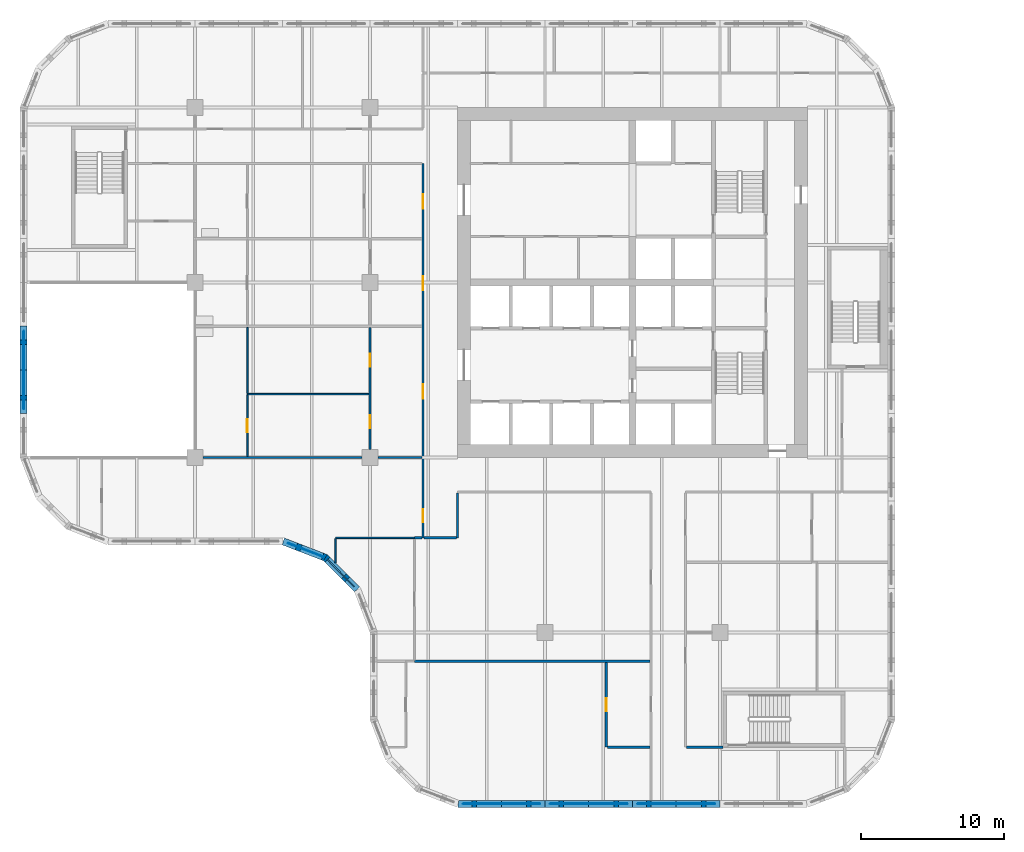
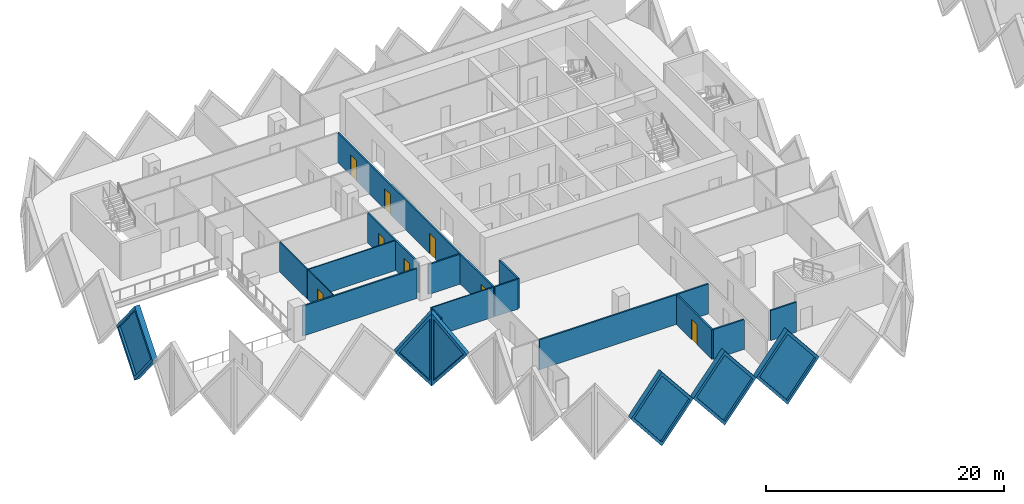
# One storey, part 5 of 20: 22 walls, 8 doors, 6 plates, 14 openings.
"""IFC4 building model written with IfcOpenShell, lengths in metres."""

from ifc_helpers import new_model, si_unit, direction, frame, frame_2d, origin, place, context, subcontext, project, spatial, polyline, rectangle, outline, extrude, faceted_brep, source, transform, mapped, material, layer, layer_set, type_object, element, fill, save


model = new_model("IFC4")

# Units and contexts
model_context = context("Model", 3, precision=1e-05, world=origin(), true_north=direction((0.0, 1.0)))
body_context = subcontext(model_context, "Body", "Model", "MODEL_VIEW")
ifc_project = project(units=[si_unit("LENGTHUNIT", "METRE"), si_unit("AREAUNIT", "SQUARE_METRE"), si_unit("VOLUMEUNIT", "CUBIC_METRE"), si_unit("PLANEANGLEUNIT", "RADIAN"), si_unit("MASSUNIT", "GRAM", prefix="KILO")], contexts=[model_context])

# Site, building, storey
site_placement = place(None, origin())
site = spatial("IfcSite", under=ifc_project, at=site_placement, CompositionType="ELEMENT")
building_placement = place(site_placement, origin())
building = spatial("IfcBuilding", under=site, at=building_placement, Name="Tessera Gate Towers", CompositionType="ELEMENT")
storey_placement = place(building_placement, frame((0.0, 0.0, 52.39990234375)))
storey = spatial("IfcBuildingStorey", under=building, at=storey_placement, Name="L12", CompositionType="ELEMENT", Elevation=52.39990234375)

# Wall
ifc_material_1 = material(Name="Gypsum board on steel studs, mineral wool", Category="steel")
ifc_layer_1 = layer(ifc_material_1, 0.14990234375)
ifc_layer_set_1 = layer_set([ifc_layer_1], Name="CORRIDOR WALL 150")
wall_type_1 = type_object("IfcWallType", Name="CORRIDOR WALL 150", PredefinedType="PARTITIONING", material=ifc_layer_set_1)
wall_1_placement = place(storey_placement, frame((46.47607421875, 4.199951171875, 0.0), z_axis=(0.0, 0.0, 1.0), x_axis=(1.0, 0.0, 0.0)))
element("IfcWall", 1, at=wall_1_placement, inside=storey, type_object=wall_type_1, Name="T1-L12-PW-008", PredefinedType="PARTITIONING", context=body_context, shape_type="SweptSolid", body=[
    extrude(rectangle(XDim=2.52392578125, YDim=0.14990234375, at=frame_2d((1.261962890625, 0.0))), origin(), (0.0, 0.0, 1.0), 3.067138671875),
])

# Wall, openings, doors
wall_2_placement = place(storey_placement, frame((28.10009765625, 18.800048828125, 0.0), z_axis=(0.0, 0.0, 1.0), x_axis=(0.0, 1.0, 0.0)))
wall_2 = element("IfcWall", 2, at=wall_2_placement, inside=storey, type_object=wall_type_1, Name="T1-L12-PW-022", PredefinedType="PARTITIONING", context=body_context, shape_type="SweptSolid", body=[
    extrude(rectangle(XDim=26.099853515625, YDim=0.14990234375, at=frame_2d((13.0498046875, 0.0))), origin(), (0.0, 0.0, 1.0), 3.067138671875),
])
shared_shape_1 = source(origin(), body_context, "Body", "SweptSolid", [
    extrude(rectangle(XDim=0.89990234375, YDim=2.10009765625, at=frame_2d((0.449951171875, 1.050048828125))), frame((0.0, 0.0849609375, 0.0), z_axis=(0.0, -1.0, 0.0), x_axis=(1.0, 0.0, 0.0)), (0.0, 0.0, 1.0), 0.169921875),
])
opening_1_placement = place(wall_2_placement, frame((1.10009765625, 0.0, 0.0)))
opening_1 = element("IfcOpeningElement", 3, at=opening_1_placement, cuts=wall_2, Name="Opening D890FD60-A04-01", PredefinedType="OPENING", context=body_context, shape_type="MappedRepresentation", body=[
    mapped(shared_shape_1, transform((0.0, 0.0, 0.0), scale=1.0)),
])
shared_shape_2 = source(origin(), body_context, "Body", "SweptSolid", [
    extrude(rectangle(XDim=1.0, YDim=2.10009765625, at=frame_2d((0.5, 1.050048828125))), frame((0.0, 0.0849609375, 0.0), z_axis=(0.0, -1.0, 0.0), x_axis=(1.0, 0.0, 0.0)), (0.0, 0.0, 1.0), 0.169921875),
])
opening_2_placement = place(wall_2_placement, frame((22.950927734375, 0.0, 0.0)))
opening_2 = element("IfcOpeningElement", 4, at=opening_2_placement, cuts=wall_2, Name="Opening D2100FD60-A04-03", PredefinedType="OPENING", context=body_context, shape_type="MappedRepresentation", body=[
    mapped(shared_shape_2, transform((0.0, 0.0, 0.0), scale=1.0)),
])
opening_3_placement = place(wall_2_placement, frame((17.2509765625, 0.0, 0.0)))
opening_3 = element("IfcOpeningElement", 5, at=opening_3_placement, cuts=wall_2, Name="Opening D2100FD60-A04-05", PredefinedType="OPENING", context=body_context, shape_type="MappedRepresentation", body=[
    mapped(shared_shape_2, transform((0.0, 0.0, 0.0), scale=1.0)),
])
opening_4_placement = place(wall_2_placement, frame((9.699951171875, 0.0, 0.0)))
opening_4 = element("IfcOpeningElement", 6, at=opening_4_placement, cuts=wall_2, Name="Opening D2100FD60-A04-07", PredefinedType="OPENING", context=body_context, shape_type="MappedRepresentation", body=[
    mapped(shared_shape_2, transform((0.0, 0.0, 0.0), scale=1.0)),
])
ifc_material_2 = material(Name="Timber door leaf in steel frame", Category="steel")
door_type_1 = type_object("IfcDoorType", Name="CORRIDOR DOOR 900 FD60", OperationType="NOTDEFINED", PredefinedType="DOOR", material=ifc_material_2)
shared_shape_3 = source(origin(), body_context, "Body", "SweptSolid", [
    extrude(rectangle(XDim=0.89990234375, YDim=2.10009765625, at=frame_2d((0.449951171875, 1.050048828125))), frame((0.0, 0.02490234375, 0.0), z_axis=(0.0, -1.0, 0.0), x_axis=(1.0, 0.0, 0.0)), (0.0, 0.0, 1.0), 0.050048828125),
])
door_1_placement = place(opening_1_placement, origin())
door_1 = element("IfcDoor", 7, at=door_1_placement, inside=storey, type_object=door_type_1, Name="T1-L12-PD-001", OperationType="SINGLE_SWING_LEFT", OverallHeight=2.10009765625, OverallWidth=0.89990234375, PredefinedType="DOOR", context=body_context, shape_type="MappedRepresentation", body=[
    mapped(shared_shape_3, transform((0.0, 0.0, 0.0), scale=1.0)),
])
fill(opening_1, door_1)
ifc_material_3 = material(Name="Timber door leaf in steel frame", Category="steel")
door_type_2 = type_object("IfcDoorType", Name="TENANCY ENTRANCE DOOR 1000 FD60", OperationType="NOTDEFINED", PredefinedType="DOOR", material=ifc_material_3)
shared_shape_4 = source(origin(), body_context, "Body", "SweptSolid", [
    extrude(rectangle(XDim=1.0, YDim=2.10009765625, at=frame_2d((0.5, 1.050048828125))), frame((0.0, 0.02490234375, 0.0), z_axis=(0.0, -1.0, 0.0), x_axis=(1.0, 0.0, 0.0)), (0.0, 0.0, 1.0), 0.050048828125),
])
door_2_placement = place(opening_2_placement, origin())
door_2 = element("IfcDoor", 8, at=door_2_placement, inside=storey, type_object=door_type_2, Name="T1-L12-PD-012", OperationType="SINGLE_SWING_LEFT", OverallHeight=2.10009765625, OverallWidth=1.0, PredefinedType="DOOR", context=body_context, shape_type="MappedRepresentation", body=[
    mapped(shared_shape_4, transform((0.0, 0.0, 0.0), scale=1.0)),
])
fill(opening_2, door_2)
door_3_placement = place(opening_3_placement, origin())
door_3 = element("IfcDoor", 9, at=door_3_placement, inside=storey, type_object=door_type_2, Name="T1-L12-PD-016", OperationType="SINGLE_SWING_LEFT", OverallHeight=2.10009765625, OverallWidth=1.0, PredefinedType="DOOR", context=body_context, shape_type="MappedRepresentation", body=[
    mapped(shared_shape_4, transform((0.0, 0.0, 0.0), scale=1.0)),
])
fill(opening_3, door_3)
door_4_placement = place(opening_4_placement, origin())
door_4 = element("IfcDoor", 10, at=door_4_placement, inside=storey, type_object=door_type_2, Name="T1-L12-PD-024", OperationType="SINGLE_SWING_LEFT", OverallHeight=2.10009765625, OverallWidth=1.0, PredefinedType="DOOR", context=body_context, shape_type="MappedRepresentation", body=[
    mapped(shared_shape_4, transform((0.0, 0.0, 0.0), scale=1.0)),
])
fill(opening_4, door_4)

# Walls
wall_3_placement = place(storey_placement, frame((28.176025390625, 18.800048828125, 0.0), z_axis=(0.0, 0.0, 1.0), x_axis=(1.0, 0.0, 0.0)))
element("IfcWall", 11, at=wall_3_placement, inside=storey, type_object=wall_type_1, Name="T1-L12-PW-023", PredefinedType="PARTITIONING", context=body_context, shape_type="SweptSolid", body=[
    extrude(rectangle(XDim=2.248046875, YDim=0.14990234375, at=frame_2d((1.1240234375, 0.0))), origin(), (0.0, 0.0, 1.0), 3.067138671875),
])
wall_4_placement = place(storey_placement, frame((30.5, 18.800048828125, 0.0), z_axis=(0.0, 0.0, 1.0), x_axis=(0.0, 1.0, 0.0)))
element("IfcWall", 12, at=wall_4_placement, inside=storey, type_object=wall_type_1, Name="T1-L12-PW-024", PredefinedType="PARTITIONING", context=body_context, shape_type="SweptSolid", body=[
    extrude(rectangle(XDim=3.1240234375, YDim=0.14990234375, at=frame_2d((1.56201171875, 0.0))), origin(), (0.0, 0.0, 1.0), 3.067138671875),
])
ifc_material_4 = material(Name="Glass", Category="glass")
ifc_layer_2 = layer(ifc_material_4, 0.10009765625)
ifc_layer_set_2 = layer_set([ifc_layer_2], Name="GLAZED PARTITION 100")
wall_type_2 = type_object("IfcWallType", Name="GLAZED PARTITION 100", PredefinedType="PARTITIONING", material=ifc_layer_set_2)
wall_5_placement = place(storey_placement, frame((22.0, 17.054931640625, 0.0), z_axis=(0.0, 0.0, 1.0), x_axis=(0.0, 1.0, 0.0)))
element("IfcWall", 13, at=wall_5_placement, inside=storey, type_object=wall_type_2, Name="T1-L12-PW-015", PredefinedType="PARTITIONING", context=body_context, shape_type="SweptSolid", body=[
    extrude(rectangle(XDim=1.694091796875, YDim=0.10009765625, at=frame_2d((0.84716796875, 0.0))), origin(), (0.0, 0.0, 1.0), 3.067138671875),
])
wall_6_placement = place(storey_placement, frame((22.0, 18.800048828125, 0.0), z_axis=(0.0, 0.0, 1.0), x_axis=(1.0, 0.0, 0.0)))
element("IfcWall", 14, at=wall_6_placement, inside=storey, type_object=wall_type_2, Name="T1-L12-PW-020", PredefinedType="PARTITIONING", context=body_context, shape_type="SweptSolid", body=[
    extrude(rectangle(XDim=5.4990234375, YDim=0.10009765625, at=frame_2d((2.74951171875, 0.0))), origin(), (0.0, 0.0, 1.0), 3.067138671875),
])

# Wall, opening, door
ifc_material_5 = material(Name="Gypsum board on steel studs", Category="steel")
ifc_layer_3 = layer(ifc_material_5, 0.10009765625)
ifc_layer_set_3 = layer_set([ifc_layer_3], Name="PARTITION 100")
wall_type_3 = type_object("IfcWallType", Name="PARTITION 100", PredefinedType="PARTITIONING", material=ifc_layer_set_3)
wall_7_placement = place(storey_placement, frame((15.85009765625, 24.47607421875, 0.0), z_axis=(0.0, 0.0, 1.0), x_axis=(0.0, 1.0, 0.0)))
wall_7 = element("IfcWall", 15, at=wall_7_placement, inside=storey, type_object=wall_type_3, Name="T1-L12-PW-032", PredefinedType="PARTITIONING", context=body_context, shape_type="SweptSolid", body=[
    extrude(rectangle(XDim=4.293212890625, YDim=0.10009765625, at=frame_2d((2.146484375, 0.0))), origin(), (0.0, 0.0, 1.0), 3.067138671875),
])
shared_shape_5 = source(origin(), body_context, "Body", "SweptSolid", [
    extrude(rectangle(XDim=0.89990234375, YDim=2.10009765625, at=frame_2d((0.449951171875, 1.050048828125))), frame((0.0, 0.06005859375, 0.0), z_axis=(0.0, -1.0, 0.0), x_axis=(1.0, 0.0, 0.0)), (0.0, 0.0, 1.0), 0.1201171875),
])
opening_5_placement = place(wall_7_placement, frame((1.699951171875, 0.0, 0.0)))
opening_5 = element("IfcOpeningElement", 16, at=opening_5_placement, cuts=wall_7, Name="Opening D190-A04-02", PredefinedType="OPENING", context=body_context, shape_type="MappedRepresentation", body=[
    mapped(shared_shape_5, transform((0.0, 0.0, 0.0), scale=1.0)),
])
ifc_material_6 = material(Name="Timber door leaf in steel frame", Category="steel")
door_type_3 = type_object("IfcDoorType", Name="INTERNAL DOOR 900 NOT RATED", OperationType="NOTDEFINED", PredefinedType="DOOR", material=ifc_material_6)
door_5_placement = place(opening_5_placement, origin())
door_5 = element("IfcDoor", 17, at=door_5_placement, inside=storey, type_object=door_type_3, Name="T1-L12-PD-003", OperationType="SINGLE_SWING_LEFT", OverallHeight=2.10009765625, OverallWidth=0.89990234375, PredefinedType="DOOR", context=body_context, shape_type="MappedRepresentation", body=[
    mapped(shared_shape_3, transform((0.0, 0.0, 0.0), scale=1.0)),
])
fill(opening_5, door_5)

# Walls
wall_8_placement = place(storey_placement, frame((15.85009765625, 28.820068359375, 0.0), z_axis=(0.0, 0.0, 1.0), x_axis=(1.0, 0.0, 0.0)))
element("IfcWall", 18, at=wall_8_placement, inside=storey, type_object=wall_type_3, Name="T1-L12-PW-034", PredefinedType="PARTITIONING", context=body_context, shape_type="SweptSolid", body=[
    extrude(rectangle(XDim=8.473876953125, YDim=0.10009765625, at=frame_2d((4.23681640625, 0.0))), origin(), (0.0, 0.0, 1.0), 3.067138671875),
])
wall_9_placement = place(storey_placement, frame((15.85009765625, 28.871337890625, 0.0), z_axis=(0.0, 0.0, 1.0), x_axis=(0.0, 1.0, 0.0)))
element("IfcWall", 19, at=wall_9_placement, inside=storey, type_object=wall_type_3, Name="T1-L12-PW-035", PredefinedType="PARTITIONING", context=body_context, shape_type="SweptSolid", body=[
    extrude(rectangle(XDim=4.602783203125, YDim=0.10009765625, at=frame_2d((2.30126953125, 0.0))), origin(), (0.0, 0.0, 1.0), 3.067138671875),
])

# Wall, opening, door
ifc_material_7 = material(Name="Gypsum board on steel studs, mineral wool", Category="steel")
ifc_layer_4 = layer(ifc_material_7, 0.14990234375)
ifc_layer_set_4 = layer_set([ifc_layer_4], Name="TENANCY WALL 150")
wall_type_4 = type_object("IfcWallType", Name="TENANCY WALL 150", PredefinedType="PARTITIONING", material=ifc_layer_set_4)
wall_10_placement = place(storey_placement, frame((40.875, 4.199951171875, 0.0), z_axis=(0.0, 0.0, 1.0), x_axis=(0.0, 1.0, 0.0)))
wall_10 = element("IfcWall", 20, at=wall_10_placement, inside=storey, type_object=wall_type_4, Name="T1-L12-PW-005", PredefinedType="PARTITIONING", context=body_context, shape_type="SweptSolid", body=[
    extrude(rectangle(XDim=5.924072265625, YDim=0.14990234375, at=frame_2d((2.9619140625, 0.0))), origin(), (0.0, 0.0, 1.0), 3.067138671875),
])
opening_6_placement = place(wall_10_placement, frame((2.5, 0.0, 0.0)))
opening_6 = element("IfcOpeningElement", 21, at=opening_6_placement, cuts=wall_10, Name="Opening D190-A04-10", PredefinedType="OPENING", context=body_context, shape_type="MappedRepresentation", body=[
    mapped(shared_shape_1, transform((0.0, 0.0, 0.0), scale=1.0)),
])
door_6_placement = place(opening_6_placement, origin())
door_6 = element("IfcDoor", 22, at=door_6_placement, inside=storey, type_object=door_type_3, Name="T1-L12-PD-021", OperationType="SINGLE_SWING_LEFT", OverallHeight=2.10009765625, OverallWidth=0.89990234375, PredefinedType="DOOR", context=body_context, shape_type="MappedRepresentation", body=[
    mapped(shared_shape_3, transform((0.0, 0.0, 0.0), scale=1.0)),
])
fill(opening_6, door_6)

# Walls
wall_11_placement = place(storey_placement, frame((40.950927734375, 4.199951171875, 0.0), z_axis=(0.0, 0.0, 1.0), x_axis=(1.0, 0.0, 0.0)))
element("IfcWall", 23, at=wall_11_placement, inside=storey, type_object=wall_type_4, Name="T1-L12-PW-006", PredefinedType="PARTITIONING", context=body_context, shape_type="SweptSolid", body=[
    extrude(rectangle(XDim=2.97314453125, YDim=0.14990234375, at=frame_2d((1.486572265625, 0.0))), origin(), (0.0, 0.0, 1.0), 3.067138671875),
])
wall_12_placement = place(storey_placement, frame((27.5, 10.199951171875, 0.0), z_axis=(0.0, 0.0, 1.0), x_axis=(1.0, 0.0, 0.0)))
element("IfcWall", 24, at=wall_12_placement, inside=storey, type_object=wall_type_4, Name="T1-L12-PW-012", PredefinedType="PARTITIONING", context=body_context, shape_type="SweptSolid", body=[
    extrude(rectangle(XDim=16.424072265625, YDim=0.14990234375, at=frame_2d((8.2119140625, 0.0))), origin(), (0.0, 0.0, 1.0), 3.067138671875),
])
wall_13_placement = place(storey_placement, frame((27.5, 18.800048828125, 0.0), z_axis=(0.0, 0.0, 1.0), x_axis=(1.0, 0.0, 0.0)))
element("IfcWall", 25, at=wall_13_placement, inside=storey, type_object=wall_type_4, Name="T1-L12-PW-021", PredefinedType="PARTITIONING", context=body_context, shape_type="SweptSolid", body=[
    extrude(rectangle(XDim=0.52392578125, YDim=0.14990234375, at=frame_2d((0.261962890625, 0.0))), origin(), (0.0, 0.0, 1.0), 3.067138671875),
])
wall_14_placement = place(storey_placement, frame((12.7509765625, 24.39990234375, 0.0), z_axis=(0.0, 0.0, 1.0), x_axis=(1.0, 0.0, 0.0)))
element("IfcWall", 26, at=wall_14_placement, inside=storey, type_object=wall_type_4, Name="T1-L12-PW-030", PredefinedType="PARTITIONING", context=body_context, shape_type="SweptSolid", body=[
    extrude(rectangle(XDim=11.09814453125, YDim=0.14990234375, at=frame_2d((5.549072265625, 0.0))), origin(), (0.0, 0.0, 1.0), 3.067138671875),
])
wall_15_placement = place(storey_placement, frame((24.950927734375, 24.39990234375, 0.0), z_axis=(0.0, 0.0, 1.0), x_axis=(1.0, 0.0, 0.0)))
element("IfcWall", 27, at=wall_15_placement, inside=storey, type_object=wall_type_4, Name="T1-L12-PW-031", PredefinedType="PARTITIONING", context=body_context, shape_type="SweptSolid", body=[
    extrude(rectangle(XDim=3.072998046875, YDim=0.14990234375, at=frame_2d((1.53662109375, 0.0))), origin(), (0.0, 0.0, 1.0), 3.067138671875),
])

# Wall, openings, doors
wall_16_placement = place(storey_placement, frame((24.39990234375, 24.950927734375, 0.0), z_axis=(0.0, 0.0, 1.0), x_axis=(0.0, 1.0, 0.0)))
wall_16 = element("IfcWall", 28, at=wall_16_placement, inside=storey, type_object=wall_type_4, Name="T1-L12-PW-033", PredefinedType="PARTITIONING", context=body_context, shape_type="SweptSolid", body=[
    extrude(rectangle(XDim=8.523193359375, YDim=0.14990234375, at=frame_2d((4.26171875, 0.0))), origin(), (0.0, 0.0, 1.0), 3.067138671875),
])
opening_7_placement = place(wall_16_placement, frame((1.5, 0.0, 0.0)))
opening_7 = element("IfcOpeningElement", 29, at=opening_7_placement, cuts=wall_16, Name="Opening D190-A04-01", PredefinedType="OPENING", context=body_context, shape_type="MappedRepresentation", body=[
    mapped(shared_shape_1, transform((0.0, 0.0, 0.0), scale=1.0)),
])
opening_8_placement = place(wall_16_placement, frame((5.769287109375, 0.0, 0.0)))
opening_8 = element("IfcOpeningElement", 30, at=opening_8_placement, cuts=wall_16, Name="Opening D190-A04-03", PredefinedType="OPENING", context=body_context, shape_type="MappedRepresentation", body=[
    mapped(shared_shape_1, transform((0.0, 0.0, 0.0), scale=1.0)),
])
door_7_placement = place(opening_7_placement, origin())
door_7 = element("IfcDoor", 31, at=door_7_placement, inside=storey, type_object=door_type_3, Name="T1-L12-PD-002", OperationType="SINGLE_SWING_LEFT", OverallHeight=2.10009765625, OverallWidth=0.89990234375, PredefinedType="DOOR", context=body_context, shape_type="MappedRepresentation", body=[
    mapped(shared_shape_3, transform((0.0, 0.0, 0.0), scale=1.0)),
])
fill(opening_7, door_7)
door_8_placement = place(opening_8_placement, origin())
door_8 = element("IfcDoor", 32, at=door_8_placement, inside=storey, type_object=door_type_3, Name="T1-L12-PD-004", OperationType="SINGLE_SWING_LEFT", OverallHeight=2.10009765625, OverallWidth=0.89990234375, PredefinedType="DOOR", context=body_context, shape_type="MappedRepresentation", body=[
    mapped(shared_shape_3, transform((0.0, 0.0, 0.0), scale=1.0)),
])
fill(opening_8, door_8)

# Wall, opening, plate
ifc_material_8 = material(Name="Precast concrete C60/75 white", Category="concrete")
ifc_layer_5 = layer(ifc_material_8, 0.5)
ifc_layer_set_5 = layer_set([ifc_layer_5], Name="TS1 tessera")
wall_type_5 = type_object("IfcWallType", Name="TS1 tessera", PredefinedType="SOLIDWALL", material=ifc_layer_set_5)
shared_shape_6 = source(origin(), body_context, "Body", "Brep", [
    faceted_brep([(3.050048828125, -0.25, 0.0), (6.099853515625, -0.25, 3.799560546875), (6.099853515625, -0.25, 3.800048828125), (3.050048828125, -0.25, 7.599853515625), (0.0, -0.25, 3.7998046875), (0.0, 0.25, 3.7998046875), (3.050048828125, 0.25, 7.599853515625), (6.099853515625, 0.25, 3.800048828125), (6.099853515625, 0.25, 3.799560546875), (3.050048828125, 0.25, 0.0)], [[[0, 1, 2, 3, 4]], [[5, 6, 7, 8, 9]], [[9, 8, 1, 0]], [[7, 6, 3, 2]], [[6, 5, 4, 3]], [[5, 9, 0, 4]], [[1, 8, 7, 2]]]),
])
wall_17_placement = place(storey_placement, frame((36.60009765625, 0.25, -3.7998046875), z_axis=(0.0, 0.0, 1.0), x_axis=(1.0, 0.0, 0.0)))
wall_17 = element("IfcWall", 33, at=wall_17_placement, inside=storey, type_object=wall_type_5, Name="Precast tessera T1 TS1-0162", PredefinedType="SOLIDWALL", context=body_context, shape_type="MappedRepresentation", body=[
    mapped(shared_shape_6, transform((0.0, 0.0, 0.0), scale=1.0)),
])
shared_shape_7 = source(origin(), body_context, "Body", "SweptSolid", [
    extrude(outline(polyline([(3.050048828125, 0.3994140625), (5.779541015625, 3.7998046875), (3.050048828125, 7.200439453125), (0.320556640625, 3.7998046875), (3.050048828125, 0.3994140625)])), frame((0.0, 0.260009765625, 0.0), z_axis=(0.0, -1.0, 0.0), x_axis=(1.0, 0.0, 0.0)), (0.0, 0.0, 1.0), 0.52001953125),
])
opening_9_placement = place(wall_17_placement, origin())
opening_9 = element("IfcOpeningElement", 34, at=opening_9_placement, cuts=wall_17, Name="Opening T1-PL2-0330", PredefinedType="OPENING", context=body_context, shape_type="MappedRepresentation", body=[
    mapped(shared_shape_7, transform((0.0, 0.0, 0.0), scale=1.0)),
])
ifc_material_9 = material(Name="Low-e laminated glass", Category="glass")
ifc_layer_6 = layer(ifc_material_9, 0.06005859375)
ifc_layer_set_6 = layer_set([ifc_layer_6], Name="PL2 rhombic pane")
plate_type = type_object("IfcPlateType", Name="PL2 rhombic pane", PredefinedType="SHEET", material=ifc_layer_set_6)
shared_shape_8 = source(origin(), body_context, "Body", "SweptSolid", [
    extrude(outline(polyline([(3.050048828125, 0.3994140625), (5.779541015625, 3.7998046875), (3.050048828125, 7.200439453125), (0.320556640625, 3.7998046875), (3.050048828125, 0.3994140625)])), frame((0.0, 0.030029296875, 0.0), z_axis=(0.0, -1.0, 0.0), x_axis=(1.0, 0.0, 0.0)), (0.0, 0.0, 1.0), 0.06005859375),
])
plate_1_placement = place(opening_9_placement, origin())
plate_1 = element("IfcPlate", 35, at=plate_1_placement, inside=storey, type_object=plate_type, Name="Glass pane T1 PL2-0330", PredefinedType="SHEET", context=body_context, shape_type="MappedRepresentation", body=[
    mapped(shared_shape_8, transform((0.0, 0.0, 0.0), scale=1.0)),
])
fill(opening_9, plate_1)

shared_shape_9 = source(origin(), body_context, "Body", "SweptSolid", [
    extrude(outline(polyline([(3.050048828125, 0.0), (6.10009765625, 3.7998046875), (3.050048828125, 7.599853515625), (0.0, 3.7998046875), (3.050048828125, 0.0)])), frame((0.0, 0.25, 0.0), z_axis=(0.0, -1.0, 0.0), x_axis=(1.0, 0.0, 0.0)), (0.0, 0.0, 1.0), 0.5),
])
wall_18_placement = place(storey_placement, frame((42.699951171875, 0.25, -3.7998046875), z_axis=(0.0, 0.0, 1.0), x_axis=(1.0, 0.0, 0.0)))
wall_18 = element("IfcWall", 36, at=wall_18_placement, inside=storey, type_object=wall_type_5, Name="Precast tessera T1 TS1-0163", PredefinedType="SOLIDWALL", context=body_context, shape_type="MappedRepresentation", body=[
    mapped(shared_shape_9, transform((0.0, 0.0, 0.0), scale=1.0)),
])
opening_10_placement = place(wall_18_placement, origin())
opening_10 = element("IfcOpeningElement", 37, at=opening_10_placement, cuts=wall_18, Name="Opening T1-PL2-0331", PredefinedType="OPENING", context=body_context, shape_type="MappedRepresentation", body=[
    mapped(shared_shape_7, transform((0.0, 0.0, 0.0), scale=1.0)),
])
plate_2_placement = place(opening_10_placement, origin())
plate_2 = element("IfcPlate", 38, at=plate_2_placement, inside=storey, type_object=plate_type, Name="Glass pane T1 PL2-0331", PredefinedType="SHEET", context=body_context, shape_type="MappedRepresentation", body=[
    mapped(shared_shape_8, transform((0.0, 0.0, 0.0), scale=1.0)),
])
fill(opening_10, plate_2)

wall_19_placement = place(storey_placement, frame((0.25, 33.550048828125, -3.7998046875), z_axis=(0.0, 0.0, 1.0), x_axis=(0.0, -1.0, 0.0)))
wall_19 = element("IfcWall", 39, at=wall_19_placement, inside=storey, type_object=wall_type_5, Name="Precast tessera T1 TS1-0181", PredefinedType="SOLIDWALL", context=body_context, shape_type="MappedRepresentation", body=[
    mapped(shared_shape_9, transform((0.0, 0.0, 0.0), scale=1.0)),
])
opening_11_placement = place(wall_19_placement, origin())
opening_11 = element("IfcOpeningElement", 40, at=opening_11_placement, cuts=wall_19, Name="Opening T1-PL2-0361", PredefinedType="OPENING", context=body_context, shape_type="MappedRepresentation", body=[
    mapped(shared_shape_7, transform((0.0, 0.0, 0.0), scale=1.0)),
])
plate_3_placement = place(opening_11_placement, origin())
plate_3 = element("IfcPlate", 41, at=plate_3_placement, inside=storey, type_object=plate_type, Name="Glass pane T1 PL2-0361", PredefinedType="SHEET", context=body_context, shape_type="MappedRepresentation", body=[
    mapped(shared_shape_8, transform((0.0, 0.0, 0.0), scale=1.0)),
])
fill(opening_11, plate_3)

shared_shape_10 = source(origin(), body_context, "Body", "Brep", [
    faceted_brep([(3.00341796875, -0.25, 0.0), (6.053466796875, -0.25, 3.7998046875), (3.00341796875, -0.25, 7.599853515625), (0.0, -0.25, 3.7998046875), (0.046630859375, 0.25, 3.858642578125), (3.00341796875, 0.25, 7.599853515625), (6.053466796875, 0.25, 3.7998046875), (3.00341796875, 0.25, 0.0), (0.046630859375, 0.25, 3.740966796875), (0.0, 0.0, 3.7998046875)], [[[0, 1, 2, 3]], [[4, 5, 6, 7, 8]], [[7, 6, 1, 0]], [[6, 5, 2, 1]], [[5, 4, 9, 3, 2]], [[8, 7, 0, 3, 9]], [[8, 9, 4]]]),
])
wall_20_placement = place(storey_placement, frame((30.546630859375, 0.25, -3.7998046875), z_axis=(0.0, 0.0, 1.0), x_axis=(1.0, 0.0, 0.0)))
wall_20 = element("IfcWall", 42, at=wall_20_placement, inside=storey, type_object=wall_type_5, Name="Precast tessera T1 TS1-0161", PredefinedType="SOLIDWALL", context=body_context, shape_type="MappedRepresentation", body=[
    mapped(shared_shape_10, transform((0.0, 0.0, 0.0), scale=1.0)),
])
shared_shape_11 = source(origin(), body_context, "Body", "SweptSolid", [
    extrude(outline(polyline([(3.0048828125, 0.401123046875), (5.73291015625, 3.7998046875), (3.0048828125, 7.19873046875), (0.318603515625, 3.7998046875), (3.0048828125, 0.401123046875)])), frame((0.0, 0.260009765625, 0.0), z_axis=(0.0, -1.0, 0.0), x_axis=(1.0, 0.0, 0.0)), (0.0, 0.0, 1.0), 0.52001953125),
])
opening_12_placement = place(wall_20_placement, origin())
opening_12 = element("IfcOpeningElement", 43, at=opening_12_placement, cuts=wall_20, Name="Opening T1-PL2-0329", PredefinedType="OPENING", context=body_context, shape_type="MappedRepresentation", body=[
    mapped(shared_shape_11, transform((0.0, 0.0, 0.0), scale=1.0)),
])
shared_shape_12 = source(origin(), body_context, "Body", "SweptSolid", [
    extrude(outline(polyline([(3.0048828125, 0.401123046875), (5.73291015625, 3.7998046875), (3.0048828125, 7.19873046875), (0.318603515625, 3.7998046875), (3.0048828125, 0.401123046875)])), frame((0.0, 0.030029296875, 0.0), z_axis=(0.0, -1.0, 0.0), x_axis=(1.0, 0.0, 0.0)), (0.0, 0.0, 1.0), 0.06005859375),
])
plate_4_placement = place(opening_12_placement, origin())
plate_4 = element("IfcPlate", 44, at=plate_4_placement, inside=storey, type_object=plate_type, Name="Glass pane T1 PL2-0329", PredefinedType="SHEET", context=body_context, shape_type="MappedRepresentation", body=[
    mapped(shared_shape_12, transform((0.0, 0.0, 0.0), scale=1.0)),
])
fill(opening_12, plate_4)

ifc_material_10 = material(Name="Precast concrete C60/75 white", Category="concrete")
ifc_layer_7 = layer(ifc_material_10, 0.5)
ifc_layer_set_7 = layer_set([ifc_layer_7], Name="TS3 corner tessera")
wall_type_6 = type_object("IfcWallType", Name="TS3 corner tessera", PredefinedType="SOLIDWALL", material=ifc_layer_set_7)
shared_shape_13 = source(origin(), body_context, "Body", "Brep", [
    faceted_brep([(3.096435546875, -0.25, 7.5361328125), (0.046630859375, -0.25, 3.85595703125), (0.046630859375, -0.25, 3.74365234375), (3.096435546875, -0.25, 0.063720703125), (0.0, 0.25, 3.7998046875), (3.1494140625, 0.25, 7.599853515625), (3.202392578125, 0.25, 7.5361328125), (3.202392578125, 0.25, 0.063720703125), (3.1494140625, 0.25, 0.0), (3.1494140625, -0.000244140625, 0.0), (3.1494140625, -0.000244140625, 7.599853515625), (0.0, 0.0, 3.7998046875)], [[[0, 1, 2, 3]], [[4, 5, 6, 7, 8]], [[8, 7, 9]], [[6, 5, 10]], [[5, 4, 11, 1, 0, 10]], [[4, 8, 9, 3, 2, 11]], [[11, 2, 1]], [[3, 9, 7, 6, 10, 0]]]),
])
wall_21_placement = place(storey_placement, frame((18.346435546875, 18.550048828125, -3.7998046875), z_axis=(0.0, 0.0, 1.0), x_axis=(0.932985567668, -0.359913782069, 0.0)))
wall_21 = element("IfcWall", 45, at=wall_21_placement, inside=storey, type_object=wall_type_6, Name="Precast corner tessera T1 TS3-0257", PredefinedType="SOLIDWALL", context=body_context, shape_type="MappedRepresentation", body=[
    mapped(shared_shape_13, transform((0.0, 0.0, 0.0), scale=1.0)),
])
shared_shape_14 = source(origin(), body_context, "Body", "SweptSolid", [
    extrude(outline(polyline([(2.949462890625, 6.966796875), (0.32470703125, 3.7998046875), (2.949462890625, 0.633056640625), (2.949462890625, 6.966796875)])), frame((0.0, 0.260009765625, 0.0), z_axis=(0.0, -1.0, 0.0), x_axis=(1.0, 0.0, 0.0)), (0.0, 0.0, 1.0), 0.52001953125),
])
opening_13_placement = place(wall_21_placement, origin())
opening_13 = element("IfcOpeningElement", 46, at=opening_13_placement, cuts=wall_21, Name="Opening T1-PL2-0368", PredefinedType="OPENING", context=body_context, shape_type="MappedRepresentation", body=[
    mapped(shared_shape_14, transform((0.0, 0.0, 0.0), scale=1.0)),
])
shared_shape_15 = source(origin(), body_context, "Body", "SweptSolid", [
    extrude(outline(polyline([(2.949462890625, 6.966796875), (0.32470703125, 3.7998046875), (2.949462890625, 0.633056640625), (2.949462890625, 6.966796875)])), frame((0.0, 0.030029296875, 0.0), z_axis=(0.0, -1.0, 0.0), x_axis=(1.0, 0.0, 0.0)), (0.0, 0.0, 1.0), 0.06005859375),
])
plate_5_placement = place(opening_13_placement, origin())
plate_5 = element("IfcPlate", 47, at=plate_5_placement, inside=storey, type_object=plate_type, Name="Glass pane T1 PL2-0368", PredefinedType="SHEET", context=body_context, shape_type="MappedRepresentation", body=[
    mapped(shared_shape_15, transform((0.0, 0.0, 0.0), scale=1.0)),
])
fill(opening_13, plate_5)

shared_shape_16 = source(origin(), body_context, "Body", "Brep", [
    faceted_brep([(0.10595703125, -0.25, 0.063720703125), (3.156005859375, -0.25, 3.736083984375), (3.156005859375, -0.25, 3.863525390625), (0.10595703125, -0.25, 7.5361328125), (0.0, 0.25, 7.535888671875), (0.052978515625, 0.25, 7.599853515625), (3.208740234375, 0.25, 3.7998046875), (0.052978515625, 0.25, 0.0), (0.0, 0.25, 0.06396484375), (3.208740234375, -0.00048828125, 3.7998046875), (0.052978515625, 0.0, 0.0), (0.052978515625, 0.0, 7.599853515625)], [[[0, 1, 2, 3]], [[4, 5, 6, 7, 8]], [[7, 6, 9, 1, 0, 10]], [[6, 5, 11, 3, 2, 9]], [[5, 4, 11]], [[8, 7, 10]], [[8, 10, 0, 3, 11, 4]], [[1, 9, 2]]]),
])
wall_22_placement = place(storey_placement, frame((21.24755859375, 17.453857421875, -3.7998046875), z_axis=(0.0, 0.0, 1.0), x_axis=(0.707106781187, -0.707106781187, 0.0)))
wall_22 = element("IfcWall", 48, at=wall_22_placement, inside=storey, type_object=wall_type_6, Name="Precast corner tessera T1 TS3-0258", PredefinedType="SOLIDWALL", context=body_context, shape_type="MappedRepresentation", body=[
    mapped(shared_shape_16, transform((0.0, 0.0, 0.0), scale=1.0)),
])
shared_shape_17 = source(origin(), body_context, "Body", "SweptSolid", [
    extrude(outline(polyline([(0.2529296875, 0.632080078125), (2.8837890625, 3.7998046875), (0.2529296875, 6.9677734375), (0.2529296875, 0.632080078125)])), frame((0.0, 0.260009765625, 0.0), z_axis=(0.0, -1.0, 0.0), x_axis=(1.0, 0.0, 0.0)), (0.0, 0.0, 1.0), 0.52001953125),
])
opening_14_placement = place(wall_22_placement, origin())
opening_14 = element("IfcOpeningElement", 49, at=opening_14_placement, cuts=wall_22, Name="Opening T1-PL2-0369", PredefinedType="OPENING", context=body_context, shape_type="MappedRepresentation", body=[
    mapped(shared_shape_17, transform((0.0, 0.0, 0.0), scale=1.0)),
])
shared_shape_18 = source(origin(), body_context, "Body", "SweptSolid", [
    extrude(outline(polyline([(0.2529296875, 0.632080078125), (2.8837890625, 3.7998046875), (0.2529296875, 6.9677734375), (0.2529296875, 0.632080078125)])), frame((0.0, 0.030029296875, 0.0), z_axis=(0.0, -1.0, 0.0), x_axis=(1.0, 0.0, 0.0)), (0.0, 0.0, 1.0), 0.06005859375),
])
plate_6_placement = place(opening_14_placement, origin())
plate_6 = element("IfcPlate", 50, at=plate_6_placement, inside=storey, type_object=plate_type, Name="Glass pane T1 PL2-0369", PredefinedType="SHEET", context=body_context, shape_type="MappedRepresentation", body=[
    mapped(shared_shape_18, transform((0.0, 0.0, 0.0), scale=1.0)),
])
fill(opening_14, plate_6)

save(model, "model.ifc")
